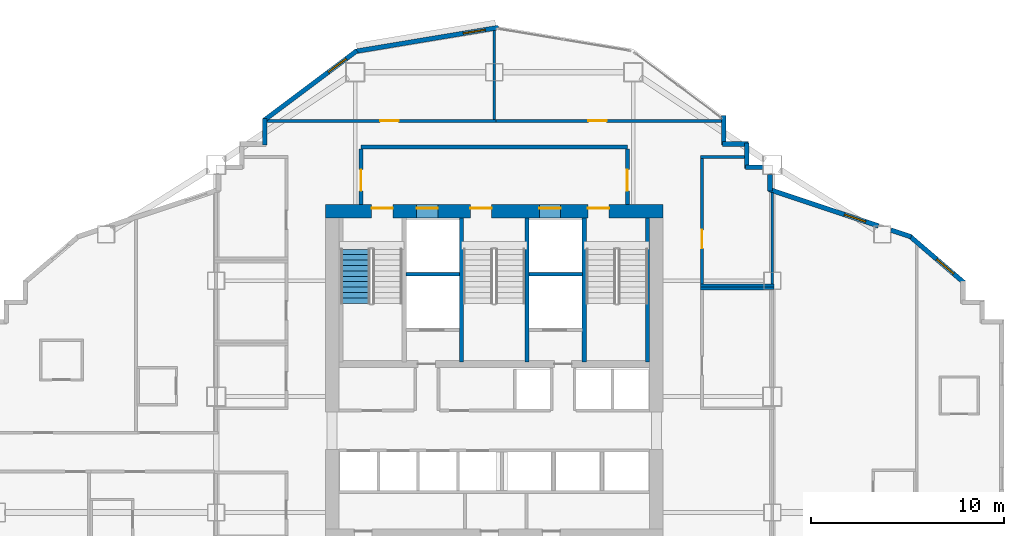
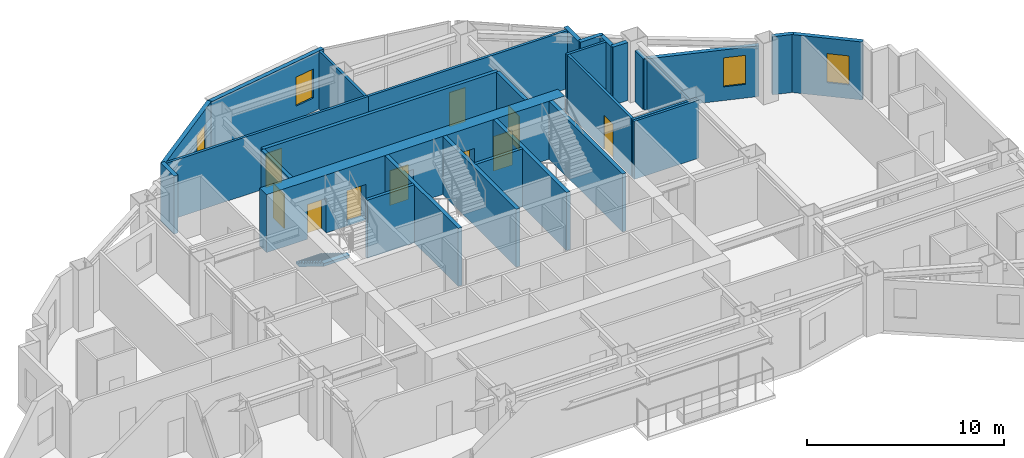
# One storey, part 9 of 13: 29 walls, 10 doors, 4 windows, 1 stair flight, 14 openings, 1 element without a shape of its own.
"""IFC4 building model written with IfcOpenShell, lengths in metres."""

from ifc_helpers import new_model, si_unit, direction, frame, frame_2d, origin, place, context, subcontext, project, spatial, polyline, rectangle, outline, extrude, material, layer, layer_set, type_object, element, fill, aggregate, save


model = new_model("IFC4")

# Units and contexts
model_context = context("Model", 3, precision=1e-05, world=origin(), true_north=direction((0.0, 1.0)))
body_context = subcontext(model_context, "Body", "Model", "MODEL_VIEW")
ifc_project = project(units=[si_unit("LENGTHUNIT", "METRE"), si_unit("AREAUNIT", "SQUARE_METRE"), si_unit("VOLUMEUNIT", "CUBIC_METRE"), si_unit("PLANEANGLEUNIT", "RADIAN"), si_unit("MASSUNIT", "GRAM", prefix="KILO")], contexts=[model_context])

# Site, building, storey
site_placement = place(None, origin())
site = spatial("IfcSite", under=ifc_project, at=site_placement, CompositionType="ELEMENT")
building_placement = place(site_placement, origin())
building = spatial("IfcBuilding", under=site, at=building_placement, Name="Haolan Belvedere Tower", CompositionType="ELEMENT")
storey_placement = place(building_placement, frame((0.0, 0.0, 106.0)))
storey = spatial("IfcBuildingStorey", under=building, at=storey_placement, Name="L26", CompositionType="ELEMENT", Elevation=106.0)

# Wall, openings, doors
ifc_material_1 = material(Name="Concrete C60/75", Category="concrete")
ifc_layer_1 = layer(ifc_material_1, 0.699951171875, Name="Concrete C60/75")
ifc_layer_set_1 = layer_set([ifc_layer_1], Name="Concrete C60/75")
wall_type_1 = type_object("IfcWallType", Name="WL-CORE-700", PredefinedType="SHEAR", material=ifc_layer_set_1)
wall_1_placement = place(storey_placement, frame((29.64990234375, 43.199951171875, 0.0), z_axis=(0.0, 0.0, 1.0), x_axis=(1.0, 0.0, 0.0)))
wall_1 = element("IfcWall", 1, at=wall_1_placement, inside=storey, type_object=wall_type_1, Name="L26 central core north shear wall", PredefinedType="SHEAR", context=body_context, shape_type="SweptSolid", body=[
    extrude(rectangle(XDim=17.5, YDim=0.699951171875, at=frame_2d((8.75, 0.0))), origin(), (0.0, 0.0, 1.0), 3.60009765625),
])
opening_1_placement = place(wall_1_placement, frame((2.39990234375, 0.0, 0.0)))
opening_1 = element("IfcOpeningElement", 2, at=opening_1_placement, cuts=wall_1, Name="Opening FD-03", PredefinedType="OPENING", context=body_context, shape_type="SweptSolid", body=[
    extrude(rectangle(XDim=1.10009765625, YDim=2.14990234375, at=frame_2d((0.550048828125, 1.074951171875))), frame((0.0, 0.35986328125, 0.0), z_axis=(0.0, -1.0, 0.0), x_axis=(1.0, 0.0, 0.0)), (0.0, 0.0, 1.0), 0.719970703125),
])
opening_2_placement = place(wall_1_placement, frame((7.510009765625, 0.0, 0.0)))
opening_2 = element("IfcOpeningElement", 3, at=opening_2_placement, cuts=wall_1, Name="Opening FD-03", PredefinedType="OPENING", context=body_context, shape_type="SweptSolid", body=[
    extrude(rectangle(XDim=1.10009765625, YDim=2.14990234375, at=frame_2d((0.550048828125, 1.074951171875))), frame((0.0, 0.35986328125, 0.0), z_axis=(0.0, -1.0, 0.0), x_axis=(1.0, 0.0, 0.0)), (0.0, 0.0, 1.0), 0.719970703125),
])
opening_3_placement = place(wall_1_placement, frame((13.60009765625, 0.0, 0.0)))
opening_3 = element("IfcOpeningElement", 4, at=opening_3_placement, cuts=wall_1, Name="Opening FD-03", PredefinedType="OPENING", context=body_context, shape_type="SweptSolid", body=[
    extrude(rectangle(XDim=1.10009765625, YDim=2.14990234375, at=frame_2d((0.550048828125, 1.074951171875))), frame((0.0, 0.35986328125, 0.0), z_axis=(0.0, -1.0, 0.0), x_axis=(1.0, 0.0, 0.0)), (0.0, 0.0, 1.0), 0.719970703125),
])
opening_4_placement = place(wall_1_placement, frame((4.72998046875, 0.0, 0.0)))
opening_4 = element("IfcOpeningElement", 5, at=opening_4_placement, cuts=wall_1, Name="Opening LD-01", PredefinedType="OPENING", context=body_context, shape_type="SweptSolid", body=[
    extrude(rectangle(XDim=1.10009765625, YDim=2.199951171875, at=frame_2d((0.550048828125, 1.10009765625))), frame((0.0, 0.35986328125, 0.0), z_axis=(0.0, -1.0, 0.0), x_axis=(1.0, 0.0, 0.0)), (0.0, 0.0, 1.0), 0.719970703125),
])
opening_5_placement = place(wall_1_placement, frame((11.090087890625, 0.0, 0.0)))
opening_5 = element("IfcOpeningElement", 6, at=opening_5_placement, cuts=wall_1, Name="Opening LD-01", PredefinedType="OPENING", context=body_context, shape_type="SweptSolid", body=[
    extrude(rectangle(XDim=1.10009765625, YDim=2.199951171875, at=frame_2d((0.550048828125, 1.10009765625))), frame((0.0, 0.35986328125, 0.0), z_axis=(0.0, -1.0, 0.0), x_axis=(1.0, 0.0, 0.0)), (0.0, 0.0, 1.0), 0.719970703125),
])
ifc_material_2 = material(Name="Galvanised fire-rated steel", Category="steel")
door_type_1 = type_object("IfcDoorType", Name="DR-FD90-1100", OperationType="NOTDEFINED", PredefinedType="DOOR", material=ifc_material_2)
door_1_placement = place(opening_1_placement, origin())
door_1 = element("IfcDoor", 7, at=door_1_placement, inside=storey, type_object=door_type_1, Name="L26 door CD-L26-ST1", OperationType="SINGLE_SWING_LEFT", OverallHeight=2.14990234375, OverallWidth=1.10009765625, PredefinedType="DOOR", context=body_context, shape_type="SweptSolid", body=[
    extrude(rectangle(XDim=1.10009765625, YDim=2.14990234375, at=frame_2d((0.550048828125, 1.074951171875))), frame((0.0, 0.18505859375, 0.0), z_axis=(0.0, -1.0, 0.0), x_axis=(1.0, 0.0, 0.0)), (0.0, 0.0, 1.0), 0.050048828125),
])
fill(opening_1, door_1)
door_2_placement = place(opening_2_placement, origin())
door_2 = element("IfcDoor", 8, at=door_2_placement, inside=storey, type_object=door_type_1, Name="L26 door CD-L26-ST3", OperationType="SINGLE_SWING_LEFT", OverallHeight=2.14990234375, OverallWidth=1.10009765625, PredefinedType="DOOR", context=body_context, shape_type="SweptSolid", body=[
    extrude(rectangle(XDim=1.10009765625, YDim=2.14990234375, at=frame_2d((0.550048828125, 1.074951171875))), frame((0.0, 0.18505859375, 0.0), z_axis=(0.0, -1.0, 0.0), x_axis=(1.0, 0.0, 0.0)), (0.0, 0.0, 1.0), 0.050048828125),
])
fill(opening_2, door_2)
door_3_placement = place(opening_3_placement, origin())
door_3 = element("IfcDoor", 9, at=door_3_placement, inside=storey, type_object=door_type_1, Name="L26 door CD-L26-ST2", OperationType="SINGLE_SWING_RIGHT", OverallHeight=2.14990234375, OverallWidth=1.10009765625, PredefinedType="DOOR", context=body_context, shape_type="SweptSolid", body=[
    extrude(rectangle(XDim=1.10009765625, YDim=2.14990234375, at=frame_2d((0.550048828125, 1.074951171875))), frame((0.0, 0.18505859375, 0.0), z_axis=(0.0, -1.0, 0.0), x_axis=(1.0, 0.0, 0.0)), (0.0, 0.0, 1.0), 0.050048828125),
])
fill(opening_3, door_3)
ifc_material_3 = material(Name="Brushed champagne stainless steel 316L", Category="steel")
door_type_2 = type_object("IfcDoorType", Name="DR-LIFT-1100", OperationType="SLIDING_TO_LEFT", PredefinedType="DOOR", material=ifc_material_3)
door_4_placement = place(opening_4_placement, origin())
door_4 = element("IfcDoor", 10, at=door_4_placement, inside=storey, type_object=door_type_2, Name="L26 door LD-L26-FF1", OperationType="SLIDING_TO_LEFT", OverallHeight=2.199951171875, OverallWidth=1.10009765625, PredefinedType="DOOR", context=body_context, shape_type="SweptSolid", body=[
    extrude(rectangle(XDim=1.10009765625, YDim=2.199951171875, at=frame_2d((0.550048828125, 1.10009765625))), frame((0.0, 0.18505859375, 0.0), z_axis=(0.0, -1.0, 0.0), x_axis=(1.0, 0.0, 0.0)), (0.0, 0.0, 1.0), 0.050048828125),
])
fill(opening_4, door_4)
door_5_placement = place(opening_5_placement, origin())
door_5 = element("IfcDoor", 11, at=door_5_placement, inside=storey, type_object=door_type_2, Name="L26 door LD-L26-FF2", OperationType="SLIDING_TO_LEFT", OverallHeight=2.199951171875, OverallWidth=1.10009765625, PredefinedType="DOOR", context=body_context, shape_type="SweptSolid", body=[
    extrude(rectangle(XDim=1.10009765625, YDim=2.199951171875, at=frame_2d((0.550048828125, 1.10009765625))), frame((0.0, 0.18505859375, 0.0), z_axis=(0.0, -1.0, 0.0), x_axis=(1.0, 0.0, 0.0)), (0.0, 0.0, 1.0), 0.050048828125),
])
fill(opening_5, door_5)

# Wall, opening, window
ifc_material_4 = material(Name="Precast concrete C40/50", Category="concrete")
ifc_layer_2 = layer(ifc_material_4, 0.239990234375, Name="Precast concrete C40/50")
ifc_layer_set_2 = layer_set([ifc_layer_2], Name="Precast concrete C40/50")
wall_type_2 = type_object("IfcWallType", Name="WL-EXT-240", PredefinedType="SOLIDWALL", material=ifc_layer_set_2)
wall_2_placement = place(storey_placement, frame((62.7216796875, 39.509033203125, 0.0), z_axis=(0.0, 0.0, 1.0), x_axis=(-0.759247334792, 0.650802185469, 0.0)))
wall_2 = element("IfcWall", 12, at=wall_2_placement, inside=storey, type_object=wall_type_2, Name="L26 pale-metal exterior spandrel wall 19.1", PredefinedType="SOLIDWALL", context=body_context, shape_type="SweptSolid", body=[
    extrude(rectangle(XDim=3.71923828125, YDim=0.239990234375, at=frame_2d((1.859619140625, 0.0))), origin(), (0.0, 0.0, 1.0), 3.60009765625),
])
opening_6_placement = place(wall_2_placement, frame((0.699951171875, 0.0, 0.85009765625)))
opening_6 = element("IfcOpeningElement", 13, at=opening_6_placement, cuts=wall_2, Name="Opening W-02", PredefinedType="OPENING", context=body_context, shape_type="SweptSolid", body=[
    extrude(rectangle(XDim=1.14990234375, YDim=1.800048828125, at=frame_2d((0.574951171875, 0.89990234375))), frame((0.0, 0.1298828125, 0.0), z_axis=(0.0, -1.0, 0.0), x_axis=(1.0, 0.0, 0.0)), (0.0, 0.0, 1.0), 0.260009765625),
])
ifc_material_5 = material(Name="Anodised aluminium 6063-T6 and Low-E glass", Category="aluminium")
window_type = type_object("IfcWindowType", Name="WN-DECO-Z2", PartitioningType="SINGLE_PANEL", PredefinedType="WINDOW", material=ifc_material_5)
window_1_placement = place(opening_6_placement, origin())
window_1 = element("IfcWindow", 14, at=window_1_placement, inside=storey, type_object=window_type, Name="L26 Art Deco chevron window 1", OverallHeight=1.800048828125, OverallWidth=1.14990234375, PartitioningType="SINGLE_PANEL", PredefinedType="WINDOW", context=body_context, shape_type="SweptSolid", body=[
    extrude(rectangle(XDim=1.14990234375, YDim=1.800048828125, at=frame_2d((0.574951171875, 0.89990234375))), frame((0.0, 0.030029296875, 0.0), z_axis=(0.0, -1.0, 0.0), x_axis=(1.0, 0.0, 0.0)), (0.0, 0.0, 1.0), 0.06005859375),
])
fill(opening_6, window_1)

# Wall
wall_3_placement = place(storey_placement, frame((59.991943359375, 41.876220703125, 0.0), z_axis=(0.0, 0.0, 1.0), x_axis=(-0.948661238983, 0.316293935527, 0.0)))
element("IfcWall", 15, at=wall_3_placement, inside=storey, type_object=wall_type_2, Name="L26 pale-metal exterior spandrel wall 20.1", PredefinedType="SOLIDWALL", context=body_context, shape_type="SweptSolid", body=[
    extrude(rectangle(XDim=1.10693359375, YDim=0.239990234375, at=frame_2d((0.553466796875, 0.0))), origin(), (0.0, 0.0, 1.0), 3.60009765625),
])

# Wall, opening, window
wall_4_placement = place(storey_placement, frame((58.294677734375, 42.44189453125, 0.0), z_axis=(0.0, 0.0, 1.0), x_axis=(-0.948687385027, 0.316215504823, 0.0)))
wall_4 = element("IfcWall", 16, at=wall_4_placement, inside=storey, type_object=wall_type_2, Name="L26 pale-metal exterior spandrel wall 20.2", PredefinedType="SOLIDWALL", context=body_context, shape_type="SweptSolid", body=[
    extrude(rectangle(XDim=5.973388671875, YDim=0.239990234375, at=frame_2d((2.98681640625, 0.0))), origin(), (0.0, 0.0, 1.0), 3.14501953125),
])
opening_7_placement = place(wall_4_placement, frame((0.699951171875, 0.0, 0.85009765625)))
opening_7 = element("IfcOpeningElement", 17, at=opening_7_placement, cuts=wall_4, Name="Opening W-02", PredefinedType="OPENING", context=body_context, shape_type="SweptSolid", body=[
    extrude(rectangle(XDim=1.14990234375, YDim=1.800048828125, at=frame_2d((0.574951171875, 0.89990234375))), frame((0.0, 0.1298828125, 0.0), z_axis=(0.0, -1.0, 0.0), x_axis=(1.0, 0.0, 0.0)), (0.0, 0.0, 1.0), 0.260009765625),
])
window_2_placement = place(opening_7_placement, origin())
window_2 = element("IfcWindow", 18, at=window_2_placement, inside=storey, type_object=window_type, Name="L26 Art Deco chevron window 1", OverallHeight=1.800048828125, OverallWidth=1.14990234375, PartitioningType="SINGLE_PANEL", PredefinedType="WINDOW", context=body_context, shape_type="SweptSolid", body=[
    extrude(rectangle(XDim=1.14990234375, YDim=1.800048828125, at=frame_2d((0.574951171875, 0.89990234375))), frame((0.0, 0.030029296875, 0.0), z_axis=(0.0, -1.0, 0.0), x_axis=(1.0, 0.0, 0.0)), (0.0, 0.0, 1.0), 0.06005859375),
])
fill(opening_7, window_2)

# Walls
wall_5_placement = place(storey_placement, frame((52.679931640625, 44.258544921875, 0.0), z_axis=(0.0, 0.0, 1.0), x_axis=(0.0, 1.0, 0.0)))
element("IfcWall", 19, at=wall_5_placement, inside=storey, type_object=wall_type_2, Name="L26 pale-metal exterior spandrel wall 21.1", PredefinedType="SOLIDWALL", context=body_context, shape_type="SweptSolid", body=[
    extrude(rectangle(XDim=0.849365234375, YDim=0.239990234375, at=frame_2d((0.4248046875, 0.0))), origin(), (0.0, 0.0, 1.0), 3.14501953125),
])
wall_6_placement = place(storey_placement, frame((52.30810546875, 45.47998046875, 0.0), z_axis=(0.0, 0.0, 1.0), x_axis=(-1.0, 0.0, 0.0)))
element("IfcWall", 20, at=wall_6_placement, inside=storey, type_object=wall_type_2, Name="L26 pale-metal exterior spandrel wall 22.1", PredefinedType="SOLIDWALL", context=body_context, shape_type="SweptSolid", body=[
    extrude(rectangle(XDim=0.883056640625, YDim=0.239990234375, at=frame_2d((0.44140625, 0.0))), origin(), (0.0, 0.0, 1.0), 3.60009765625),
])
wall_7_placement = place(storey_placement, frame((51.47998046875, 45.425048828125, 0.0), z_axis=(0.0, 0.0, 1.0), x_axis=(0.0, 1.0, 0.0)))
element("IfcWall", 21, at=wall_7_placement, inside=storey, type_object=wall_type_2, Name="L26 pale-metal exterior spandrel wall 23.1", PredefinedType="SOLIDWALL", context=body_context, shape_type="SweptSolid", body=[
    extrude(rectangle(XDim=1.31005859375, YDim=0.239990234375, at=frame_2d((0.655029296875, 0.0))), origin(), (0.0, 0.0, 1.0), 3.60009765625),
])
wall_8_placement = place(storey_placement, frame((51.534912109375, 46.679931640625, 0.0), z_axis=(0.0, 0.0, 1.0), x_axis=(-1.0, 0.0, 0.0)))
element("IfcWall", 22, at=wall_8_placement, inside=storey, type_object=wall_type_2, Name="L26 pale-metal exterior spandrel wall 24.1", PredefinedType="SOLIDWALL", context=body_context, shape_type="SweptSolid", body=[
    extrude(rectangle(XDim=1.309814453125, YDim=0.239990234375, at=frame_2d((0.65478515625, 0.0))), origin(), (0.0, 0.0, 1.0), 3.60009765625),
])
wall_9_placement = place(storey_placement, frame((50.280029296875, 46.625, 0.0), z_axis=(0.0, 0.0, 1.0), x_axis=(0.0, 1.0, 0.0)))
element("IfcWall", 23, at=wall_9_placement, inside=storey, type_object=wall_type_2, Name="L26 pale-metal exterior spandrel wall 25.1", PredefinedType="SOLIDWALL", context=body_context, shape_type="SweptSolid", body=[
    extrude(rectangle(XDim=1.5400390625, YDim=0.239990234375, at=frame_2d((0.77001953125, 0.0))), origin(), (0.0, 0.0, 1.0), 3.60009765625),
])

# Wall, opening, window
wall_10_placement = place(storey_placement, frame((38.621826171875, 52.71533203125, 0.0), z_axis=(0.0, 0.0, 1.0), x_axis=(-0.98639129485, -0.164414760418, 0.0)))
wall_10 = element("IfcWall", 24, at=wall_10_placement, inside=storey, type_object=wall_type_2, Name="L26 pale-metal exterior spandrel wall 28.1", PredefinedType="SOLIDWALL", context=body_context, shape_type="SweptSolid", body=[
    extrude(rectangle(XDim=7.530029296875, YDim=0.239990234375, at=frame_2d((3.76513671875, 0.0))), origin(), (0.0, 0.0, 1.0), 3.60009765625),
])
opening_8_placement = place(wall_10_placement, frame((0.699951171875, 0.0, 0.85009765625)))
opening_8 = element("IfcOpeningElement", 25, at=opening_8_placement, cuts=wall_10, Name="Opening W-02", PredefinedType="OPENING", context=body_context, shape_type="SweptSolid", body=[
    extrude(rectangle(XDim=1.14990234375, YDim=1.800048828125, at=frame_2d((0.574951171875, 0.89990234375))), frame((0.0, 0.1298828125, 0.0), z_axis=(0.0, -1.0, 0.0), x_axis=(1.0, 0.0, 0.0)), (0.0, 0.0, 1.0), 0.260009765625),
])
window_3_placement = place(opening_8_placement, origin())
window_3 = element("IfcWindow", 26, at=window_3_placement, inside=storey, type_object=window_type, Name="L26 Art Deco chevron window 1", OverallHeight=1.800048828125, OverallWidth=1.14990234375, PartitioningType="SINGLE_PANEL", PredefinedType="WINDOW", context=body_context, shape_type="SweptSolid", body=[
    extrude(rectangle(XDim=1.14990234375, YDim=1.800048828125, at=frame_2d((0.574951171875, 0.89990234375))), frame((0.0, 0.030029296875, 0.0), z_axis=(0.0, -1.0, 0.0), x_axis=(1.0, 0.0, 0.0)), (0.0, 0.0, 1.0), 0.06005859375),
])
fill(opening_8, window_3)

wall_11_placement = place(storey_placement, frame((31.29248046875, 51.519287109375, 0.0), z_axis=(0.0, 0.0, 1.0), x_axis=(-0.8, -0.6, 0.0)))
wall_11 = element("IfcWall", 27, at=wall_11_placement, inside=storey, type_object=wall_type_2, Name="L26 pale-metal exterior spandrel wall 29.1", PredefinedType="SOLIDWALL", context=body_context, shape_type="SweptSolid", body=[
    extrude(rectangle(XDim=6.0205078125, YDim=0.239990234375, at=frame_2d((3.01025390625, 0.0))), origin(), (0.0, 0.0, 1.0), 3.60009765625),
])
opening_9_placement = place(wall_11_placement, frame((0.699951171875, 0.0, 0.85009765625)))
opening_9 = element("IfcOpeningElement", 28, at=opening_9_placement, cuts=wall_11, Name="Opening W-02", PredefinedType="OPENING", context=body_context, shape_type="SweptSolid", body=[
    extrude(rectangle(XDim=1.14990234375, YDim=1.800048828125, at=frame_2d((0.574951171875, 0.89990234375))), frame((0.0, 0.1298828125, 0.0), z_axis=(0.0, -1.0, 0.0), x_axis=(1.0, 0.0, 0.0)), (0.0, 0.0, 1.0), 0.260009765625),
])
window_4_placement = place(opening_9_placement, origin())
window_4 = element("IfcWindow", 29, at=window_4_placement, inside=storey, type_object=window_type, Name="L26 Art Deco chevron window 1", OverallHeight=1.800048828125, OverallWidth=1.14990234375, PartitioningType="SINGLE_PANEL", PredefinedType="WINDOW", context=body_context, shape_type="SweptSolid", body=[
    extrude(rectangle(XDim=1.14990234375, YDim=1.800048828125, at=frame_2d((0.574951171875, 0.89990234375))), frame((0.0, 0.030029296875, 0.0), z_axis=(0.0, -1.0, 0.0), x_axis=(1.0, 0.0, 0.0)), (0.0, 0.0, 1.0), 0.06005859375),
])
fill(opening_9, window_4)

# Walls
wall_12_placement = place(storey_placement, frame((26.52001953125, 47.9951171875, 0.0), z_axis=(0.0, 0.0, 1.0), x_axis=(0.0, -1.0, 0.0)))
element("IfcWall", 30, at=wall_12_placement, inside=storey, type_object=wall_type_2, Name="L26 pale-metal exterior spandrel wall 30.1", PredefinedType="SOLIDWALL", context=body_context, shape_type="SweptSolid", body=[
    extrude(rectangle(XDim=1.3701171875, YDim=0.239990234375, at=frame_2d((0.68505859375, 0.0))), origin(), (0.0, 0.0, 1.0), 3.60009765625),
])
ifc_material_6 = material(Name="Concrete C40/50", Category="concrete")
ifc_layer_3 = layer(ifc_material_6, 0.199951171875, Name="Concrete C40/50")
ifc_layer_set_3 = layer_set([ifc_layer_3], Name="Concrete C40/50")
wall_type_3 = type_object("IfcWallType", Name="WL-FIRE-200", PredefinedType="SOLIDWALL", material=ifc_layer_set_3)
wall_13_placement = place(storey_placement, frame((31.5, 46.52001953125, 0.0), z_axis=(0.0, 0.0, 1.0), x_axis=(1.0, 0.0, 0.0)))
element("IfcWall", 31, at=wall_13_placement, inside=storey, type_object=wall_type_3, Name="L26 interior partition IW-L26-FFL-N", PredefinedType="SOLIDWALL", context=body_context, shape_type="SweptSolid", body=[
    extrude(rectangle(XDim=13.800048828125, YDim=0.199951171875, at=frame_2d((6.89990234375, 0.0))), origin(), (0.0, 0.0, 1.0), 3.60009765625),
])

# Wall, opening, door
wall_14_placement = place(storey_placement, frame((31.5, 43.550048828125, 0.0), z_axis=(0.0, 0.0, 1.0), x_axis=(0.0, 1.0, 0.0)))
wall_14 = element("IfcWall", 32, at=wall_14_placement, inside=storey, type_object=wall_type_3, Name="L26 interior partition IW-L26-FFL-W", PredefinedType="SOLIDWALL", context=body_context, shape_type="SweptSolid", body=[
    extrude(rectangle(XDim=2.885009765625, YDim=0.199951171875, at=frame_2d((1.4423828125, 0.0))), origin(), (0.0, 0.0, 1.0), 3.60009765625),
])
opening_10_placement = place(wall_14_placement, frame((1.800048828125, 0.0, 0.0), z_axis=(0.0, 0.0, 1.0), x_axis=(-1.0, 0.0, 0.0)))
opening_10 = element("IfcOpeningElement", 33, at=opening_10_placement, cuts=wall_14, Name="Opening FD-03", PredefinedType="OPENING", context=body_context, shape_type="SweptSolid", body=[
    extrude(rectangle(XDim=1.10009765625, YDim=2.14990234375, at=frame_2d((0.550048828125, 1.074951171875))), frame((0.0, 0.10986328125, 0.0), z_axis=(0.0, -1.0, 0.0), x_axis=(1.0, 0.0, 0.0)), (0.0, 0.0, 1.0), 0.219970703125),
])
door_6_placement = place(opening_10_placement, origin())
door_6 = element("IfcDoor", 34, at=door_6_placement, inside=storey, type_object=door_type_1, Name="L26 door ID-L26-FFL-DW", OperationType="SINGLE_SWING_LEFT", OverallHeight=2.14990234375, OverallWidth=1.10009765625, PredefinedType="DOOR", context=body_context, shape_type="SweptSolid", body=[
    extrude(rectangle(XDim=1.10009765625, YDim=2.14990234375, at=frame_2d((0.550048828125, 1.074951171875))), frame((0.0, 0.02490234375, 0.0), z_axis=(0.0, -1.0, 0.0), x_axis=(1.0, 0.0, 0.0)), (0.0, 0.0, 1.0), 0.050048828125),
])
fill(opening_10, door_6)

wall_15_placement = place(storey_placement, frame((45.300048828125, 43.550048828125, 0.0), z_axis=(0.0, 0.0, 1.0), x_axis=(0.0, 1.0, 0.0)))
wall_15 = element("IfcWall", 35, at=wall_15_placement, inside=storey, type_object=wall_type_3, Name="L26 interior partition IW-L26-FFL-E", PredefinedType="SOLIDWALL", context=body_context, shape_type="SweptSolid", body=[
    extrude(rectangle(XDim=2.885009765625, YDim=0.199951171875, at=frame_2d((1.4423828125, 0.0))), origin(), (0.0, 0.0, 1.0), 3.60009765625),
])
opening_11_placement = place(wall_15_placement, frame((0.699951171875, 0.0, 0.0)))
opening_11 = element("IfcOpeningElement", 36, at=opening_11_placement, cuts=wall_15, Name="Opening FD-03", PredefinedType="OPENING", context=body_context, shape_type="SweptSolid", body=[
    extrude(rectangle(XDim=1.10009765625, YDim=2.14990234375, at=frame_2d((0.550048828125, 1.074951171875))), frame((0.0, 0.10986328125, 0.0), z_axis=(0.0, -1.0, 0.0), x_axis=(1.0, 0.0, 0.0)), (0.0, 0.0, 1.0), 0.219970703125),
])
door_7_placement = place(opening_11_placement, origin())
door_7 = element("IfcDoor", 37, at=door_7_placement, inside=storey, type_object=door_type_1, Name="L26 door ID-L26-FFL-DE", OperationType="SINGLE_SWING_RIGHT", OverallHeight=2.14990234375, OverallWidth=1.10009765625, PredefinedType="DOOR", context=body_context, shape_type="SweptSolid", body=[
    extrude(rectangle(XDim=1.10009765625, YDim=2.14990234375, at=frame_2d((0.550048828125, 1.074951171875))), frame((0.0, 0.02490234375, 0.0), z_axis=(0.0, -1.0, 0.0), x_axis=(1.0, 0.0, 0.0)), (0.0, 0.0, 1.0), 0.050048828125),
])
fill(opening_11, door_7)

# Walls
ifc_material_7 = material(Name="Double gypsum acoustic stud partition", Category="masonry")
ifc_layer_4 = layer(ifc_material_7, 0.14990234375, Name="Double gypsum acoustic stud partition")
ifc_layer_set_4 = layer_set([ifc_layer_4], Name="Double gypsum acoustic stud partition")
wall_type_4 = type_object("IfcWallType", Name="WL-PART-150", PredefinedType="PARTITIONING", material=ifc_layer_set_4)
wall_16_placement = place(storey_placement, frame((49.080078125, 39.199951171875, 0.0), z_axis=(0.0, 0.0, 1.0), x_axis=(1.0, 0.0, 0.0)))
element("IfcWall", 38, at=wall_16_placement, inside=storey, type_object=wall_type_4, Name="L26 interior partition IW-L26-HSK-N", PredefinedType="PARTITIONING", context=body_context, shape_type="SweptSolid", body=[
    extrude(rectangle(XDim=3.7998046875, YDim=0.14990234375, at=frame_2d((1.89990234375, 0.0))), origin(), (0.0, 0.0, 1.0), 3.60009765625),
])
wall_17_placement = place(storey_placement, frame((49.080078125, 46.02001953125, 0.0), z_axis=(0.0, 0.0, 1.0), x_axis=(1.0, 0.0, 0.0)))
element("IfcWall", 39, at=wall_17_placement, inside=storey, type_object=wall_type_4, Name="L26 interior partition IW-L26-MTG-N", PredefinedType="PARTITIONING", context=body_context, shape_type="SweptSolid", body=[
    extrude(rectangle(XDim=2.294921875, YDim=0.14990234375, at=frame_2d((1.1474609375, 0.0))), origin(), (0.0, 0.0, 1.0), 3.60009765625),
])
wall_18_placement = place(storey_placement, frame((49.080078125, 39.360107421875, 0.0), z_axis=(0.0, 0.0, 1.0), x_axis=(1.0, 0.0, 0.0)))
element("IfcWall", 40, at=wall_18_placement, inside=storey, type_object=wall_type_4, Name="L26 interior partition IW-L26-MTG-S", PredefinedType="PARTITIONING", context=body_context, shape_type="SweptSolid", body=[
    extrude(rectangle(XDim=3.7998046875, YDim=0.14990234375, at=frame_2d((1.89990234375, 0.0))), origin(), (0.0, 0.0, 1.0), 3.60009765625),
])

# Wall, opening, door
wall_19_placement = place(storey_placement, frame((49.159912109375, 39.419921875, 0.0), z_axis=(0.0, 0.0, 1.0), x_axis=(0.0, 1.0, 0.0)))
wall_19 = element("IfcWall", 41, at=wall_19_placement, inside=storey, type_object=wall_type_4, Name="L26 interior partition IW-L26-MTG-W", PredefinedType="PARTITIONING", context=body_context, shape_type="SweptSolid", body=[
    extrude(rectangle(XDim=6.5400390625, YDim=0.14990234375, at=frame_2d((3.27001953125, 0.0))), origin(), (0.0, 0.0, 1.0), 3.60009765625),
])
opening_12_placement = place(wall_19_placement, frame((1.860107421875, 0.0, 0.0)))
opening_12 = element("IfcOpeningElement", 42, at=opening_12_placement, cuts=wall_19, Name="Opening ID-03", PredefinedType="OPENING", context=body_context, shape_type="SweptSolid", body=[
    extrude(rectangle(XDim=0.949951171875, YDim=2.1201171875, at=frame_2d((0.47509765625, 1.06005859375))), frame((0.0, 0.0849609375, 0.0), z_axis=(0.0, -1.0, 0.0), x_axis=(1.0, 0.0, 0.0)), (0.0, 0.0, 1.0), 0.169921875),
])
ifc_material_8 = material(Name="Painted solid-core timber", Category="wood")
door_type_3 = type_object("IfcDoorType", Name="DR-INT-950", OperationType="NOTDEFINED", PredefinedType="DOOR", material=ifc_material_8)
door_8_placement = place(opening_12_placement, origin())
door_8 = element("IfcDoor", 43, at=door_8_placement, inside=storey, type_object=door_type_3, Name="L26 door ID-L26-MTG", OperationType="SINGLE_SWING_LEFT", OverallHeight=2.1201171875, OverallWidth=0.949951171875, PredefinedType="DOOR", context=body_context, shape_type="SweptSolid", body=[
    extrude(rectangle(XDim=0.949951171875, YDim=2.1201171875, at=frame_2d((0.47509765625, 1.06005859375))), frame((0.0, 0.02490234375, 0.0), z_axis=(0.0, -1.0, 0.0), x_axis=(1.0, 0.0, 0.0)), (0.0, 0.0, 1.0), 0.050048828125),
])
fill(opening_12, door_8)

# Wall
wall_20_placement = place(storey_placement, frame((52.800048828125, 39.419921875, 0.0), z_axis=(0.0, 0.0, 1.0), x_axis=(0.0, 1.0, 0.0)))
element("IfcWall", 44, at=wall_20_placement, inside=storey, type_object=wall_type_4, Name="L26 interior partition IW-L26-MTG-E", PredefinedType="PARTITIONING", context=body_context, shape_type="SweptSolid", body=[
    extrude(rectangle(XDim=4.742919921875, YDim=0.14990234375, at=frame_2d((2.37158203125, 0.0))), origin(), (0.0, 0.0, 1.0), 3.14501953125),
])

# Wall, opening, door
wall_21_placement = place(storey_placement, frame((26.625, 47.8798828125, 0.0), z_axis=(0.0, 0.0, 1.0), x_axis=(1.0, 0.0, 0.0)))
wall_21 = element("IfcWall", 45, at=wall_21_placement, inside=storey, type_object=wall_type_4, Name="L26 interior partition IW-L26-KN1-S", PredefinedType="PARTITIONING", context=body_context, shape_type="SweptSolid", body=[
    extrude(rectangle(XDim=11.85498046875, YDim=0.14990234375, at=frame_2d((5.927490234375, 0.0))), origin(), (0.0, 0.0, 1.0), 3.60009765625),
])
opening_13_placement = place(wall_21_placement, frame((5.8701171875, 0.0, 0.0)))
opening_13 = element("IfcOpeningElement", 46, at=opening_13_placement, cuts=wall_21, Name="Opening ID-03", PredefinedType="OPENING", context=body_context, shape_type="SweptSolid", body=[
    extrude(rectangle(XDim=0.949951171875, YDim=2.1201171875, at=frame_2d((0.47509765625, 1.06005859375))), frame((0.0, 0.0849609375, 0.0), z_axis=(0.0, -1.0, 0.0), x_axis=(1.0, 0.0, 0.0)), (0.0, 0.0, 1.0), 0.169921875),
])
door_9_placement = place(opening_13_placement, origin())
door_9 = element("IfcDoor", 47, at=door_9_placement, inside=storey, type_object=door_type_3, Name="L26 door ID-L26-KN1", OperationType="SINGLE_SWING_LEFT", OverallHeight=2.1201171875, OverallWidth=0.949951171875, PredefinedType="DOOR", context=body_context, shape_type="SweptSolid", body=[
    extrude(rectangle(XDim=0.949951171875, YDim=2.1201171875, at=frame_2d((0.47509765625, 1.06005859375))), frame((0.0, 0.02490234375, 0.0), z_axis=(0.0, -1.0, 0.0), x_axis=(1.0, 0.0, 0.0)), (0.0, 0.0, 1.0), 0.050048828125),
])
fill(opening_13, door_9)

# Wall
wall_22_placement = place(storey_placement, frame((38.39990234375, 47.93994140625, 0.0), z_axis=(0.0, 0.0, 1.0), x_axis=(0.0, 1.0, 0.0)))
element("IfcWall", 48, at=wall_22_placement, inside=storey, type_object=wall_type_4, Name="L26 interior partition IW-L26-KN1-E", PredefinedType="PARTITIONING", context=body_context, shape_type="SweptSolid", body=[
    extrude(rectangle(XDim=4.632080078125, YDim=0.14990234375, at=frame_2d((2.31591796875, 0.0))), origin(), (0.0, 0.0, 1.0), 3.60009765625),
])

# Wall, opening, door
wall_23_placement = place(storey_placement, frame((38.48193359375, 47.8798828125, 0.0), z_axis=(0.0, 0.0, 1.0), x_axis=(1.0, 0.0, 0.0)))
wall_23 = element("IfcWall", 49, at=wall_23_placement, inside=storey, type_object=wall_type_4, Name="L26 interior partition IW-L26-KN2-S", PredefinedType="PARTITIONING", context=body_context, shape_type="SweptSolid", body=[
    extrude(rectangle(XDim=11.693115234375, YDim=0.14990234375, at=frame_2d((5.8466796875, 0.0))), origin(), (0.0, 0.0, 1.0), 3.60009765625),
])
opening_14_placement = place(wall_23_placement, frame((4.79296875, 0.0, 0.0)))
opening_14 = element("IfcOpeningElement", 50, at=opening_14_placement, cuts=wall_23, Name="Opening ID-03", PredefinedType="OPENING", context=body_context, shape_type="SweptSolid", body=[
    extrude(rectangle(XDim=0.949951171875, YDim=2.1201171875, at=frame_2d((0.47509765625, 1.06005859375))), frame((0.0, 0.0849609375, 0.0), z_axis=(0.0, -1.0, 0.0), x_axis=(1.0, 0.0, 0.0)), (0.0, 0.0, 1.0), 0.169921875),
])
door_10_placement = place(opening_14_placement, origin())
door_10 = element("IfcDoor", 51, at=door_10_placement, inside=storey, type_object=door_type_3, Name="L26 door ID-L26-KN2", OperationType="SINGLE_SWING_RIGHT", OverallHeight=2.1201171875, OverallWidth=0.949951171875, PredefinedType="DOOR", context=body_context, shape_type="SweptSolid", body=[
    extrude(rectangle(XDim=0.949951171875, YDim=2.1201171875, at=frame_2d((0.47509765625, 1.06005859375))), frame((0.0, 0.02490234375, 0.0), z_axis=(0.0, -1.0, 0.0), x_axis=(1.0, 0.0, 0.0)), (0.0, 0.0, 1.0), 0.050048828125),
])
fill(opening_14, door_10)

# Walls
ifc_layer_5 = layer(ifc_material_4, 0.179931640625, Name="Precast concrete C40/50")
ifc_layer_set_5 = layer_set([ifc_layer_5], Name="Precast concrete C40/50")
wall_type_5 = type_object("IfcWallType", Name="WL-SHAFT-180", PredefinedType="SOLIDWALL", material=ifc_layer_set_5)
for number, where, z_axis, x_axis, name in (
    (52, (33.8349609375, 39.949951171875, 0.0), (0.0, 0.0, 1.0), (1.0, 0.0, 0.0), "L26 interior partition IW-L26-FF1-S"),
    (53, (40.195068359375, 39.949951171875, 0.0), (0.0, 0.0, 1.0), (1.0, 0.0, 0.0), "L26 interior partition IW-L26-FF2-S"),
):
    element("IfcWall", number, at=place(storey_placement, frame(where, z_axis=z_axis, x_axis=x_axis)), inside=storey, type_object=wall_type_5, Name=name, PredefinedType="SOLIDWALL", context=body_context, shape_type="SweptSolid", body=[
        extrude(rectangle(XDim=2.77001953125, YDim=0.179931640625, at=frame_2d((1.385009765625, 0.0))), origin(), (0.0, 0.0, 1.0), 3.60009765625),
    ])
ifc_material_9 = material(Name="Concrete C50/60", Category="concrete")
ifc_layer_6 = layer(ifc_material_9, 0.219970703125, Name="Concrete C50/60")
ifc_layer_set_6 = layer_set([ifc_layer_6], Name="Concrete C50/60")
wall_type_6 = type_object("IfcWallType", Name="WL-STAIR-220", PredefinedType="SHEAR", material=ifc_layer_set_6)
for number, where, z_axis, x_axis, name in (
    (54, (36.699951171875, 35.389892578125, 0.0), (0.0, 0.0, 1.0), (0.0, 1.0, 0.0), "L26 structural stair core wall ST3W"),
    (55, (40.10009765625, 35.389892578125, 0.0), (0.0, 0.0, 1.0), (0.0, 1.0, 0.0), "L26 structural stair core wall ST3E"),
    (56, (43.06005859375, 35.389892578125, 0.0), (0.0, 0.0, 1.0), (0.0, 1.0, 0.0), "L26 structural stair core wall ST2W"),
    (57, (46.337890625, 35.389892578125, 0.0), (0.0, 0.0, 1.0), (0.0, 1.0, 0.0), "L26 structural stair core wall ST2E"),
):
    element("IfcWall", number, at=place(storey_placement, frame(where, z_axis=z_axis, x_axis=x_axis)), inside=storey, type_object=wall_type_6, Name=name, PredefinedType="SHEAR", context=body_context, shape_type="SweptSolid", body=[
        extrude(rectangle(XDim=7.460205078125, YDim=0.219970703125, at=frame_2d((3.72998046875, 0.0))), origin(), (0.0, 0.0, 1.0), 3.60009765625),
    ])

# Stair, stair flight
stair_type = type_object("IfcStairType", Name="STR-DL-22R-173", PredefinedType="HALF_TURN_STAIR", material=ifc_material_6)
stair_placement = place(storey_placement, origin())
stair = element("IfcStair", 58, at=stair_placement, inside=storey, type_object=stair_type, Name="L26 Smokeproof Core Exit Stair ST1", PredefinedType="HALF_TURN_STAIR")
stair_flight_type = type_object("IfcStairFlightType", Name="SFL-DL-11R-173", PredefinedType="STRAIGHT", material=ifc_material_6)
stair_flight_placement = place(storey_placement, frame((31.2099609375, 41.22998046875, 0.0), z_axis=(0.0, 0.0, 1.0), x_axis=(0.0, -1.0, 0.0)))
stair_flight = element("IfcStairFlight", 59, at=stair_flight_placement, type_object=stair_flight_type, Name="ST1 flight 1", NumberOfRisers=11, NumberOfTreads=10, PredefinedType="STRAIGHT", RiserHeight=0.172727273, TreadLength=0.28, context=body_context, shape_type="SweptSolid", body=[
    extrude(outline(polyline([(0.0, 0.0), (0.0, 0.172607421875), (0.280029296875, 0.172607421875), (0.280029296875, 0.345458984375), (0.56005859375, 0.345458984375), (0.56005859375, 0.51806640625), (0.840087890625, 0.51806640625), (0.840087890625, 0.69091796875), (1.1201171875, 0.69091796875), (1.1201171875, 0.863525390625), (1.39990234375, 0.863525390625), (1.39990234375, 1.036376953125), (1.679931640625, 1.036376953125), (1.679931640625, 1.208984375), (1.9599609375, 1.208984375), (1.9599609375, 1.3818359375), (2.239990234375, 1.3818359375), (2.239990234375, 1.554443359375), (2.52001953125, 1.554443359375), (2.52001953125, 1.727294921875), (2.800048828125, 1.727294921875), (2.800048828125, 1.89990234375), (2.800048828125, 1.551025390625), (0.285400390625, 0.0), (0.0, 0.0)])), frame((0.0, 0.760009765625, 0.0), z_axis=(0.0, -1.0, 0.0), x_axis=(1.0, 0.0, 0.0)), (0.0, 0.0, 1.0), 1.52001953125),
])
aggregate(stair, [stair_flight])

save(model, "model.ifc")
